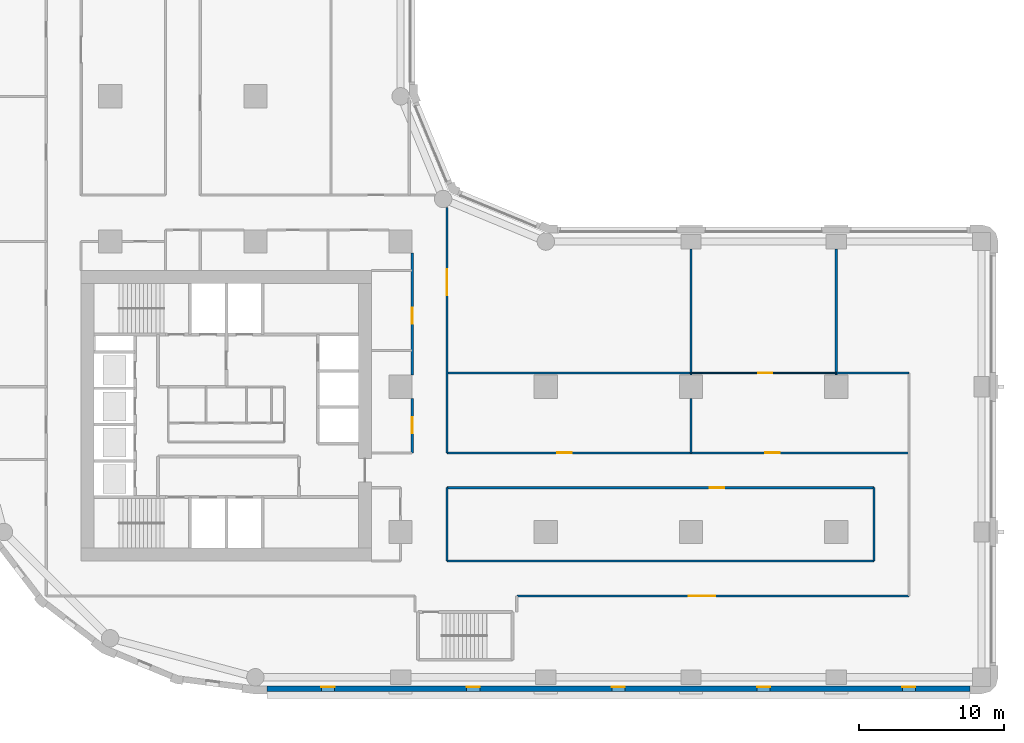
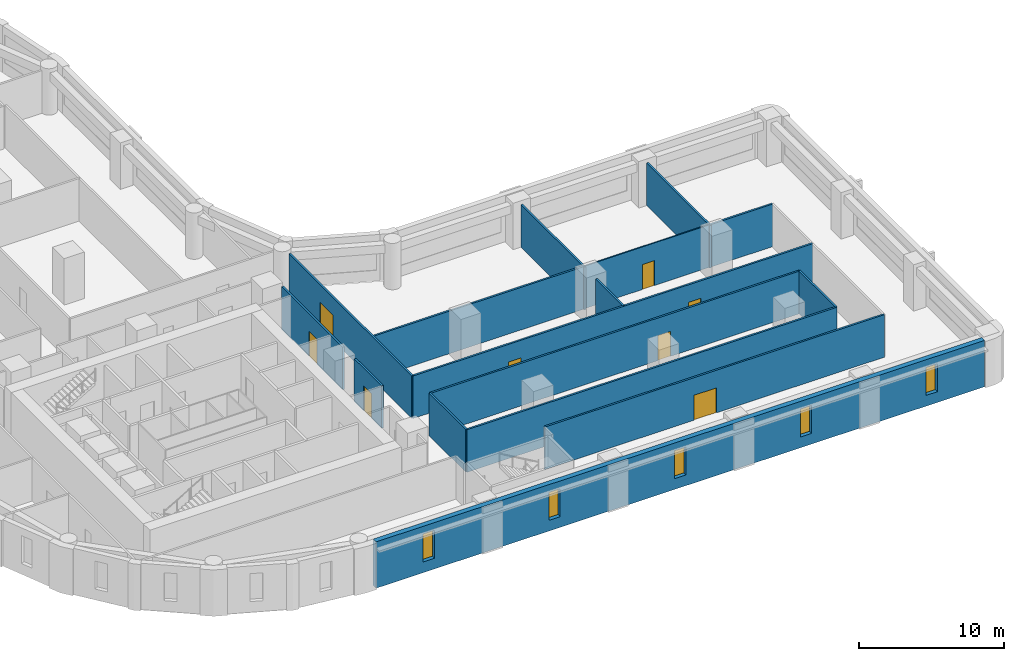
# One storey, part 4 of 10: 16 walls, 8 doors, 5 windows, 13 openings.
"""IFC4 building model written with IfcOpenShell, lengths in metres."""

from ifc_helpers import new_model, si_unit, direction, frame, frame_2d, origin, place, context, subcontext, project, spatial, rectangle, extrude, material, layer, layer_set, type_object, element, fill, save


model = new_model("IFC4")

# Units and contexts
model_context = context("Model", 3, precision=1e-05, world=origin(), true_north=direction((0.0, 1.0)))
body_context = subcontext(model_context, "Body", "Model", "MODEL_VIEW")
ifc_project = project(units=[si_unit("LENGTHUNIT", "METRE"), si_unit("AREAUNIT", "SQUARE_METRE"), si_unit("VOLUMEUNIT", "CUBIC_METRE"), si_unit("PLANEANGLEUNIT", "RADIAN"), si_unit("MASSUNIT", "GRAM", prefix="KILO")], contexts=[model_context])

# Site, building, storey
site_placement = place(None, origin())
site = spatial("IfcSite", under=ifc_project, at=site_placement, CompositionType="ELEMENT")
building_placement = place(site_placement, origin())
building = spatial("IfcBuilding", under=site, at=building_placement, Name="Qaws Garden Tower", CompositionType="ELEMENT")
storey_placement = place(building_placement, frame((0.0, 0.0, 15.89990234375)))
storey = spatial("IfcBuildingStorey", under=building, at=storey_placement, Name="L03", CompositionType="ELEMENT", Elevation=15.89990234375)

# Wall, openings, windows
ifc_material_1 = material(Name="Clay facing brick masonry", Category="masonry")
ifc_layer_1 = layer(ifc_material_1, 0.39990234375)
ifc_layer_set_1 = layer_set([ifc_layer_1], Name="Clay facing brick masonry")
wall_type_1 = type_object("IfcWallType", Name="Brick infill wall 400", PredefinedType="SOLIDWALL", material=ifc_layer_set_1)
wall_1_placement = place(storey_placement, frame((20.800048828125, -0.800048828125, 0.0), z_axis=(0.0, 0.0, 1.0), x_axis=(1.0, 0.0, 0.0)))
wall_1 = element("IfcWall", 1, at=wall_1_placement, inside=storey, type_object=wall_type_1, Name="E-L03-infill-00", PredefinedType="SOLIDWALL", context=body_context, shape_type="SweptSolid", body=[
    extrude(rectangle(XDim=48.39990234375, YDim=0.39990234375, at=frame_2d((24.199951171875, 0.0))), origin(), (0.0, 0.0, 1.0), 3.900146484375),
])
opening_1_placement = place(wall_1_placement, frame((3.75, 0.0, 0.89990234375)))
opening_1 = element("IfcOpeningElement", 2, at=opening_1_placement, cuts=wall_1, Name="Opening W09", PredefinedType="OPENING", context=body_context, shape_type="SweptSolid", body=[
    extrude(rectangle(XDim=0.89990234375, YDim=2.35009765625, at=frame_2d((0.449951171875, 1.175048828125))), frame((0.0, 0.2099609375, 0.0), z_axis=(0.0, -1.0, 0.0), x_axis=(1.0, 0.0, 0.0)), (0.0, 0.0, 1.0), 0.419921875),
])
opening_2_placement = place(wall_1_placement, frame((13.75, 0.0, 0.89990234375)))
opening_2 = element("IfcOpeningElement", 3, at=opening_2_placement, cuts=wall_1, Name="Opening W09", PredefinedType="OPENING", context=body_context, shape_type="SweptSolid", body=[
    extrude(rectangle(XDim=0.89990234375, YDim=2.35009765625, at=frame_2d((0.449951171875, 1.175048828125))), frame((0.0, 0.2099609375, 0.0), z_axis=(0.0, -1.0, 0.0), x_axis=(1.0, 0.0, 0.0)), (0.0, 0.0, 1.0), 0.419921875),
])
opening_3_placement = place(wall_1_placement, frame((23.75, 0.0, 0.89990234375)))
opening_3 = element("IfcOpeningElement", 4, at=opening_3_placement, cuts=wall_1, Name="Opening W09", PredefinedType="OPENING", context=body_context, shape_type="SweptSolid", body=[
    extrude(rectangle(XDim=0.89990234375, YDim=2.35009765625, at=frame_2d((0.449951171875, 1.175048828125))), frame((0.0, 0.2099609375, 0.0), z_axis=(0.0, -1.0, 0.0), x_axis=(1.0, 0.0, 0.0)), (0.0, 0.0, 1.0), 0.419921875),
])
opening_4_placement = place(wall_1_placement, frame((33.75, 0.0, 0.89990234375)))
opening_4 = element("IfcOpeningElement", 5, at=opening_4_placement, cuts=wall_1, Name="Opening W09", PredefinedType="OPENING", context=body_context, shape_type="SweptSolid", body=[
    extrude(rectangle(XDim=0.89990234375, YDim=2.35009765625, at=frame_2d((0.449951171875, 1.175048828125))), frame((0.0, 0.2099609375, 0.0), z_axis=(0.0, -1.0, 0.0), x_axis=(1.0, 0.0, 0.0)), (0.0, 0.0, 1.0), 0.419921875),
])
opening_5_placement = place(wall_1_placement, frame((43.75, 0.0, 0.89990234375)))
opening_5 = element("IfcOpeningElement", 6, at=opening_5_placement, cuts=wall_1, Name="Opening W09", PredefinedType="OPENING", context=body_context, shape_type="SweptSolid", body=[
    extrude(rectangle(XDim=0.89990234375, YDim=2.35009765625, at=frame_2d((0.449951171875, 1.175048828125))), frame((0.0, 0.2099609375, 0.0), z_axis=(0.0, -1.0, 0.0), x_axis=(1.0, 0.0, 0.0)), (0.0, 0.0, 1.0), 0.419921875),
])
ifc_material_2 = material(Name="Aluminium framed window, clear glazing", Category="aluminium")
window_type = type_object("IfcWindowType", Name="Slit window 900 x 2350", PartitioningType="SINGLE_PANEL", PredefinedType="WINDOW", material=ifc_material_2)
window_1_placement = place(opening_1_placement, origin())
window_1 = element("IfcWindow", 7, at=window_1_placement, inside=storey, type_object=window_type, Name="E-L03-window-00-0", OverallHeight=2.35009765625, OverallWidth=0.89990234375, PartitioningType="SINGLE_PANEL", PredefinedType="WINDOW", context=body_context, shape_type="SweptSolid", body=[
    extrude(rectangle(XDim=0.89990234375, YDim=2.35009765625, at=frame_2d((0.449951171875, 1.175048828125))), frame((0.0, 0.159912109375, 0.0), z_axis=(0.0, -1.0, 0.0), x_axis=(1.0, 0.0, 0.0)), (0.0, 0.0, 1.0), 0.06005859375),
])
fill(opening_1, window_1)
window_2_placement = place(opening_2_placement, origin())
window_2 = element("IfcWindow", 8, at=window_2_placement, inside=storey, type_object=window_type, Name="E-L03-window-01-0", OverallHeight=2.35009765625, OverallWidth=0.89990234375, PartitioningType="SINGLE_PANEL", PredefinedType="WINDOW", context=body_context, shape_type="SweptSolid", body=[
    extrude(rectangle(XDim=0.89990234375, YDim=2.35009765625, at=frame_2d((0.449951171875, 1.175048828125))), frame((0.0, 0.159912109375, 0.0), z_axis=(0.0, -1.0, 0.0), x_axis=(1.0, 0.0, 0.0)), (0.0, 0.0, 1.0), 0.06005859375),
])
fill(opening_2, window_2)
window_3_placement = place(opening_3_placement, origin())
window_3 = element("IfcWindow", 9, at=window_3_placement, inside=storey, type_object=window_type, Name="E-L03-window-02-0", OverallHeight=2.35009765625, OverallWidth=0.89990234375, PartitioningType="SINGLE_PANEL", PredefinedType="WINDOW", context=body_context, shape_type="SweptSolid", body=[
    extrude(rectangle(XDim=0.89990234375, YDim=2.35009765625, at=frame_2d((0.449951171875, 1.175048828125))), frame((0.0, 0.159912109375, 0.0), z_axis=(0.0, -1.0, 0.0), x_axis=(1.0, 0.0, 0.0)), (0.0, 0.0, 1.0), 0.06005859375),
])
fill(opening_3, window_3)
window_4_placement = place(opening_4_placement, origin())
window_4 = element("IfcWindow", 10, at=window_4_placement, inside=storey, type_object=window_type, Name="E-L03-window-03-0", OverallHeight=2.35009765625, OverallWidth=0.89990234375, PartitioningType="SINGLE_PANEL", PredefinedType="WINDOW", context=body_context, shape_type="SweptSolid", body=[
    extrude(rectangle(XDim=0.89990234375, YDim=2.35009765625, at=frame_2d((0.449951171875, 1.175048828125))), frame((0.0, 0.159912109375, 0.0), z_axis=(0.0, -1.0, 0.0), x_axis=(1.0, 0.0, 0.0)), (0.0, 0.0, 1.0), 0.06005859375),
])
fill(opening_4, window_4)
window_5_placement = place(opening_5_placement, origin())
window_5 = element("IfcWindow", 11, at=window_5_placement, inside=storey, type_object=window_type, Name="E-L03-window-04-0", OverallHeight=2.35009765625, OverallWidth=0.89990234375, PartitioningType="SINGLE_PANEL", PredefinedType="WINDOW", context=body_context, shape_type="SweptSolid", body=[
    extrude(rectangle(XDim=0.89990234375, YDim=2.35009765625, at=frame_2d((0.449951171875, 1.175048828125))), frame((0.0, 0.159912109375, 0.0), z_axis=(0.0, -1.0, 0.0), x_axis=(1.0, 0.0, 0.0)), (0.0, 0.0, 1.0), 0.06005859375),
])
fill(opening_5, window_5)

# Wall, opening, door
ifc_material_3 = material(Name="Gypsum board partition")
ifc_layer_2 = layer(ifc_material_3, 0.10009765625)
ifc_layer_set_2 = layer_set([ifc_layer_2], Name="Gypsum board partition")
wall_type_2 = type_object("IfcWallType", Name="PARTITION 100", PredefinedType="PARTITIONING", material=ifc_layer_set_2)
wall_2_placement = place(storey_placement, frame((50.0, 20.949951171875, 0.0), z_axis=(0.0, 0.0, 1.0), x_axis=(1.0, 0.0, 0.0)))
wall_2 = element("IfcWall", 12, at=wall_2_placement, inside=storey, type_object=wall_type_2, Name="O-L03-wall-001", PredefinedType="PARTITIONING", context=body_context, shape_type="SweptSolid", body=[
    extrude(rectangle(XDim=10.0, YDim=0.10009765625, at=frame_2d((5.0, 0.0))), origin(), (0.0, 0.0, 1.0), 3.580078125),
])
opening_6_placement = place(wall_2_placement, frame((4.625, 0.0, 0.0)))
opening_6 = element("IfcOpeningElement", 13, at=opening_6_placement, cuts=wall_2, Name="Opening A126", PredefinedType="OPENING", context=body_context, shape_type="SweptSolid", body=[
    extrude(rectangle(XDim=0.949951171875, YDim=2.10009765625, at=frame_2d((0.47509765625, 1.050048828125))), frame((0.0, 0.06005859375, 0.0), z_axis=(0.0, -1.0, 0.0), x_axis=(1.0, 0.0, 0.0)), (0.0, 0.0, 1.0), 0.1201171875),
])
ifc_material_4 = material(Name="Timber and glass door leaf", Category="wood")
door_type_1 = type_object("IfcDoorType", Name="GLAZED DOOR 950 X 2100", OperationType="SINGLE_SWING_LEFT", PredefinedType="DOOR", material=ifc_material_4)
door_1_placement = place(opening_6_placement, frame((0.949951171875, 0.0, 0.0), z_axis=(0.0, 0.0, 1.0), x_axis=(-1.0, 0.0, 0.0)))
door_1 = element("IfcDoor", 14, at=door_1_placement, inside=storey, type_object=door_type_1, Name="O-L03-door-026", OperationType="SINGLE_SWING_RIGHT", OverallHeight=2.10009765625, OverallWidth=0.949951171875, PredefinedType="DOOR", context=body_context, shape_type="SweptSolid", body=[
    extrude(rectangle(XDim=0.949951171875, YDim=2.10009765625, at=frame_2d((0.47509765625, 1.050048828125))), frame((0.0, 0.02490234375, 0.0), z_axis=(0.0, -1.0, 0.0), x_axis=(1.0, 0.0, 0.0)), (0.0, 0.0, 1.0), 0.050048828125),
])
fill(opening_6, door_1)

ifc_material_5 = material(Name="Gypsum board partition")
ifc_layer_3 = layer(ifc_material_5, 0.14990234375)
ifc_layer_set_3 = layer_set([ifc_layer_3], Name="Gypsum board partition")
wall_type_3 = type_object("IfcWallType", Name="PARTITION 150 EI 60", PredefinedType="PARTITIONING", material=ifc_layer_set_3)
wall_3_placement = place(storey_placement, frame((30.800048828125, 15.449951171875, 0.0), z_axis=(0.0, 0.0, 1.0), x_axis=(0.0, 1.0, 0.0)))
wall_3 = element("IfcWall", 15, at=wall_3_placement, inside=storey, type_object=wall_type_3, Name="O-L03-wall-017", PredefinedType="PARTITIONING", context=body_context, shape_type="SweptSolid", body=[
    extrude(rectangle(XDim=3.75, YDim=0.14990234375, at=frame_2d((1.875, 0.0))), origin(), (0.0, 0.0, 1.0), 3.580078125),
])
opening_7_placement = place(wall_3_placement, frame((1.35009765625, 0.0, 0.0)))
opening_7 = element("IfcOpeningElement", 16, at=opening_7_placement, cuts=wall_3, Name="Opening A105", PredefinedType="OPENING", context=body_context, shape_type="SweptSolid", body=[
    extrude(rectangle(XDim=1.10009765625, YDim=2.10009765625, at=frame_2d((0.550048828125, 1.050048828125))), frame((0.0, 0.0849609375, 0.0), z_axis=(0.0, -1.0, 0.0), x_axis=(1.0, 0.0, 0.0)), (0.0, 0.0, 1.0), 0.169921875),
])
ifc_material_6 = material(Name="Timber door leaf", Category="wood")
door_type_2 = type_object("IfcDoorType", Name="SERVICE ROOM DOOR 1100 X 2100", OperationType="SINGLE_SWING_LEFT", PredefinedType="DOOR", material=ifc_material_6)
door_2_placement = place(opening_7_placement, origin())
door_2 = element("IfcDoor", 17, at=door_2_placement, inside=storey, type_object=door_type_2, Name="O-L03-door-005", OperationType="SINGLE_SWING_RIGHT", OverallHeight=2.10009765625, OverallWidth=1.10009765625, PredefinedType="DOOR", context=body_context, shape_type="SweptSolid", body=[
    extrude(rectangle(XDim=1.10009765625, YDim=2.10009765625, at=frame_2d((0.550048828125, 1.050048828125))), frame((0.0, 0.02490234375, 0.0), z_axis=(0.0, -1.0, 0.0), x_axis=(1.0, 0.0, 0.0)), (0.0, 0.0, 1.0), 0.050048828125),
])
fill(opening_7, door_2)

wall_4_placement = place(storey_placement, frame((30.800048828125, 20.800048828125, 0.0), z_axis=(0.0, 0.0, 1.0), x_axis=(0.0, 1.0, 0.0)))
wall_4 = element("IfcWall", 18, at=wall_4_placement, inside=storey, type_object=wall_type_3, Name="O-L03-wall-018", PredefinedType="PARTITIONING", context=body_context, shape_type="SweptSolid", body=[
    extrude(rectangle(XDim=8.39990234375, YDim=0.14990234375, at=frame_2d((4.199951171875, 0.0))), origin(), (0.0, 0.0, 1.0), 3.580078125),
])
opening_8_placement = place(wall_4_placement, frame((3.550048828125, 0.0, 0.0)))
opening_8 = element("IfcOpeningElement", 19, at=opening_8_placement, cuts=wall_4, Name="Opening A106", PredefinedType="OPENING", context=body_context, shape_type="SweptSolid", body=[
    extrude(rectangle(XDim=1.10009765625, YDim=2.10009765625, at=frame_2d((0.550048828125, 1.050048828125))), frame((0.0, 0.0849609375, 0.0), z_axis=(0.0, -1.0, 0.0), x_axis=(1.0, 0.0, 0.0)), (0.0, 0.0, 1.0), 0.169921875),
])
door_3_placement = place(opening_8_placement, origin())
door_3 = element("IfcDoor", 20, at=door_3_placement, inside=storey, type_object=door_type_2, Name="O-L03-door-006", OperationType="SINGLE_SWING_RIGHT", OverallHeight=2.10009765625, OverallWidth=1.10009765625, PredefinedType="DOOR", context=body_context, shape_type="SweptSolid", body=[
    extrude(rectangle(XDim=1.10009765625, YDim=2.10009765625, at=frame_2d((0.550048828125, 1.050048828125))), frame((0.0, 0.02490234375, 0.0), z_axis=(0.0, -1.0, 0.0), x_axis=(1.0, 0.0, 0.0)), (0.0, 0.0, 1.0), 0.050048828125),
])
fill(opening_8, door_3)

# Wall
wall_5_placement = place(storey_placement, frame((33.199951171875, 8.0, 0.0), z_axis=(0.0, 0.0, 1.0), x_axis=(0.0, 1.0, 0.0)))
element("IfcWall", 21, at=wall_5_placement, inside=storey, type_object=wall_type_3, Name="O-L03-wall-020", PredefinedType="PARTITIONING", context=body_context, shape_type="SweptSolid", body=[
    extrude(rectangle(XDim=5.050048828125, YDim=0.14990234375, at=frame_2d((2.52490234375, 0.0))), origin(), (0.0, 0.0, 1.0), 3.580078125),
])

# Wall, opening, door
wall_6_placement = place(storey_placement, frame((33.199951171875, 15.449951171875, 0.0), z_axis=(0.0, 0.0, 1.0), x_axis=(0.0, 1.0, 0.0)))
wall_6 = element("IfcWall", 22, at=wall_6_placement, inside=storey, type_object=wall_type_3, Name="O-L03-wall-021", PredefinedType="PARTITIONING", context=body_context, shape_type="SweptSolid", body=[
    extrude(rectangle(XDim=16.912109375, YDim=0.14990234375, at=frame_2d((8.4560546875, 0.0))), origin(), (0.0, 0.0, 1.0), 3.580078125),
])
opening_9_placement = place(wall_6_placement, frame((10.85009765625, 0.0, 0.0)))
opening_9 = element("IfcOpeningElement", 23, at=opening_9_placement, cuts=wall_6, Name="Opening A103", PredefinedType="OPENING", context=body_context, shape_type="SweptSolid", body=[
    extrude(rectangle(XDim=1.800048828125, YDim=2.10009765625, at=frame_2d((0.89990234375, 1.050048828125))), frame((0.0, 0.0849609375, 0.0), z_axis=(0.0, -1.0, 0.0), x_axis=(1.0, 0.0, 0.0)), (0.0, 0.0, 1.0), 0.169921875),
])
ifc_material_7 = material(Name="Timber door leaf", Category="wood")
door_type_3 = type_object("IfcDoorType", Name="DOUBLE DOOR 1800 X 2100", OperationType="DOUBLE_DOOR_SINGLE_SWING", PredefinedType="DOOR", material=ifc_material_7)
door_4_placement = place(opening_9_placement, frame((1.800048828125, 0.0, 0.0), z_axis=(0.0, 0.0, 1.0), x_axis=(-1.0, 0.0, 0.0)))
door_4 = element("IfcDoor", 24, at=door_4_placement, inside=storey, type_object=door_type_3, Name="O-L03-door-003", OperationType="DOUBLE_DOOR_SINGLE_SWING", OverallHeight=2.10009765625, OverallWidth=1.800048828125, PredefinedType="DOOR", context=body_context, shape_type="SweptSolid", body=[
    extrude(rectangle(XDim=1.800048828125, YDim=2.10009765625, at=frame_2d((0.89990234375, 1.050048828125))), frame((0.0, 0.02490234375, 0.0), z_axis=(0.0, -1.0, 0.0), x_axis=(1.0, 0.0, 0.0)), (0.0, 0.0, 1.0), 0.050048828125),
])
fill(opening_9, door_4)

# Walls
wall_7_placement = place(storey_placement, frame((50.0, 15.449951171875, 0.0), z_axis=(0.0, 0.0, 1.0), x_axis=(0.0, 1.0, 0.0)))
element("IfcWall", 25, at=wall_7_placement, inside=storey, type_object=wall_type_3, Name="O-L03-wall-023", PredefinedType="PARTITIONING", context=body_context, shape_type="SweptSolid", body=[
    extrude(rectangle(XDim=3.75, YDim=0.14990234375, at=frame_2d((1.875, 0.0))), origin(), (0.0, 0.0, 1.0), 3.580078125),
])
for number, where, z_axis, x_axis, name in (
    (26, (50.0, 20.800048828125, 0.0), (0.0, 0.0, 1.0), (0.0, 1.0, 0.0), "O-L03-wall-024"),
    (27, (60.0, 20.800048828125, 0.0), (0.0, 0.0, 1.0), (0.0, 1.0, 0.0), "O-L03-wall-025"),
):
    element("IfcWall", number, at=place(storey_placement, frame(where, z_axis=z_axis, x_axis=x_axis)), inside=storey, type_object=wall_type_3, Name=name, PredefinedType="PARTITIONING", context=body_context, shape_type="SweptSolid", body=[
        extrude(rectangle(XDim=8.699951171875, YDim=0.14990234375, at=frame_2d((4.35009765625, 0.0))), origin(), (0.0, 0.0, 1.0), 3.580078125),
    ])
wall_8_placement = place(storey_placement, frame((62.60009765625, 8.0, 0.0), z_axis=(0.0, 0.0, 1.0), x_axis=(0.0, 1.0, 0.0)))
element("IfcWall", 28, at=wall_8_placement, inside=storey, type_object=wall_type_3, Name="O-L03-wall-026", PredefinedType="PARTITIONING", context=body_context, shape_type="SweptSolid", body=[
    extrude(rectangle(XDim=5.050048828125, YDim=0.14990234375, at=frame_2d((2.52490234375, 0.0))), origin(), (0.0, 0.0, 1.0), 3.580078125),
])

# Wall, opening, door
wall_9_placement = place(storey_placement, frame((38.0, 5.60009765625, 0.0), z_axis=(0.0, 0.0, 1.0), x_axis=(1.0, 0.0, 0.0)))
wall_9 = element("IfcWall", 29, at=wall_9_placement, inside=storey, type_object=wall_type_3, Name="O-L03-wall-029", PredefinedType="PARTITIONING", context=body_context, shape_type="SweptSolid", body=[
    extrude(rectangle(XDim=27.0, YDim=0.14990234375, at=frame_2d((13.5, 0.0))), origin(), (0.0, 0.0, 1.0), 3.580078125),
])
opening_10_placement = place(wall_9_placement, frame((11.85009765625, 0.0, 0.0)))
opening_10 = element("IfcOpeningElement", 30, at=opening_10_placement, cuts=wall_9, Name="Opening A122", PredefinedType="OPENING", context=body_context, shape_type="SweptSolid", body=[
    extrude(rectangle(XDim=1.800048828125, YDim=2.10009765625, at=frame_2d((0.89990234375, 1.050048828125))), frame((0.0, 0.0849609375, 0.0), z_axis=(0.0, -1.0, 0.0), x_axis=(1.0, 0.0, 0.0)), (0.0, 0.0, 1.0), 0.169921875),
])
door_5_placement = place(opening_10_placement, frame((1.800048828125, 0.0, 0.0), z_axis=(0.0, 0.0, 1.0), x_axis=(-1.0, 0.0, 0.0)))
door_5 = element("IfcDoor", 31, at=door_5_placement, inside=storey, type_object=door_type_3, Name="O-L03-door-022", OperationType="DOUBLE_DOOR_SINGLE_SWING", OverallHeight=2.10009765625, OverallWidth=1.800048828125, PredefinedType="DOOR", context=body_context, shape_type="SweptSolid", body=[
    extrude(rectangle(XDim=1.800048828125, YDim=2.10009765625, at=frame_2d((0.89990234375, 1.050048828125))), frame((0.0, 0.02490234375, 0.0), z_axis=(0.0, -1.0, 0.0), x_axis=(1.0, 0.0, 0.0)), (0.0, 0.0, 1.0), 0.050048828125),
])
fill(opening_10, door_5)

# Wall
wall_10_placement = place(storey_placement, frame((33.199951171875, 8.0, 0.0), z_axis=(0.0, 0.0, 1.0), x_axis=(1.0, 0.0, 0.0)))
element("IfcWall", 32, at=wall_10_placement, inside=storey, type_object=wall_type_3, Name="O-L03-wall-031", PredefinedType="PARTITIONING", context=body_context, shape_type="SweptSolid", body=[
    extrude(rectangle(XDim=29.400146484375, YDim=0.14990234375, at=frame_2d((14.7001953125, 0.0))), origin(), (0.0, 0.0, 1.0), 3.580078125),
])

# Wall, opening, door
wall_11_placement = place(storey_placement, frame((33.199951171875, 13.050048828125, 0.0), z_axis=(0.0, 0.0, 1.0), x_axis=(1.0, 0.0, 0.0)))
wall_11 = element("IfcWall", 33, at=wall_11_placement, inside=storey, type_object=wall_type_3, Name="O-L03-wall-033", PredefinedType="PARTITIONING", context=body_context, shape_type="SweptSolid", body=[
    extrude(rectangle(XDim=29.400146484375, YDim=0.14990234375, at=frame_2d((14.7001953125, 0.0))), origin(), (0.0, 0.0, 1.0), 3.580078125),
])
opening_11_placement = place(wall_11_placement, frame((18.10009765625, 0.0, 0.0)))
opening_11 = element("IfcOpeningElement", 34, at=opening_11_placement, cuts=wall_11, Name="Opening A123", PredefinedType="OPENING", context=body_context, shape_type="SweptSolid", body=[
    extrude(rectangle(XDim=1.0, YDim=2.10009765625, at=frame_2d((0.5, 1.050048828125))), frame((0.0, 0.0849609375, 0.0), z_axis=(0.0, -1.0, 0.0), x_axis=(1.0, 0.0, 0.0)), (0.0, 0.0, 1.0), 0.169921875),
])
ifc_material_8 = material(Name="Timber door leaf", Category="wood")
door_type_4 = type_object("IfcDoorType", Name="TENANCY ENTRANCE DOOR 1000 X 2100", OperationType="SINGLE_SWING_LEFT", PredefinedType="DOOR", material=ifc_material_8)
door_6_placement = place(opening_11_placement, frame((1.0, 0.0, 0.0), z_axis=(0.0, 0.0, 1.0), x_axis=(-1.0, 0.0, 0.0)))
door_6 = element("IfcDoor", 35, at=door_6_placement, inside=storey, type_object=door_type_4, Name="O-L03-door-023", OperationType="SINGLE_SWING_RIGHT", OverallHeight=2.10009765625, OverallWidth=1.0, PredefinedType="DOOR", context=body_context, shape_type="SweptSolid", body=[
    extrude(rectangle(XDim=1.0, YDim=2.10009765625, at=frame_2d((0.5, 1.050048828125))), frame((0.0, 0.02490234375, 0.0), z_axis=(0.0, -1.0, 0.0), x_axis=(1.0, 0.0, 0.0)), (0.0, 0.0, 1.0), 0.050048828125),
])
fill(opening_11, door_6)

# Wall, openings, doors
wall_12_placement = place(storey_placement, frame((33.199951171875, 15.449951171875, 0.0), z_axis=(0.0, 0.0, 1.0), x_axis=(1.0, 0.0, 0.0)))
wall_12 = element("IfcWall", 36, at=wall_12_placement, inside=storey, type_object=wall_type_3, Name="O-L03-wall-036", PredefinedType="PARTITIONING", context=body_context, shape_type="SweptSolid", body=[
    extrude(rectangle(XDim=31.800048828125, YDim=0.14990234375, at=frame_2d((15.89990234375, 0.0))), origin(), (0.0, 0.0, 1.0), 3.580078125),
])
opening_12_placement = place(wall_12_placement, frame((7.60009765625, 0.0, 0.0)))
opening_12 = element("IfcOpeningElement", 37, at=opening_12_placement, cuts=wall_12, Name="Opening A124", PredefinedType="OPENING", context=body_context, shape_type="SweptSolid", body=[
    extrude(rectangle(XDim=1.0, YDim=2.10009765625, at=frame_2d((0.5, 1.050048828125))), frame((0.0, 0.0849609375, 0.0), z_axis=(0.0, -1.0, 0.0), x_axis=(1.0, 0.0, 0.0)), (0.0, 0.0, 1.0), 0.169921875),
])
opening_13_placement = place(wall_12_placement, frame((21.89990234375, 0.0, 0.0)))
opening_13 = element("IfcOpeningElement", 38, at=opening_13_placement, cuts=wall_12, Name="Opening A125", PredefinedType="OPENING", context=body_context, shape_type="SweptSolid", body=[
    extrude(rectangle(XDim=1.0, YDim=2.10009765625, at=frame_2d((0.5, 1.050048828125))), frame((0.0, 0.0849609375, 0.0), z_axis=(0.0, -1.0, 0.0), x_axis=(1.0, 0.0, 0.0)), (0.0, 0.0, 1.0), 0.169921875),
])
door_7_placement = place(opening_12_placement, origin())
door_7 = element("IfcDoor", 39, at=door_7_placement, inside=storey, type_object=door_type_4, Name="O-L03-door-024", OperationType="SINGLE_SWING_LEFT", OverallHeight=2.10009765625, OverallWidth=1.0, PredefinedType="DOOR", context=body_context, shape_type="SweptSolid", body=[
    extrude(rectangle(XDim=1.0, YDim=2.10009765625, at=frame_2d((0.5, 1.050048828125))), frame((0.0, 0.02490234375, 0.0), z_axis=(0.0, -1.0, 0.0), x_axis=(1.0, 0.0, 0.0)), (0.0, 0.0, 1.0), 0.050048828125),
])
fill(opening_12, door_7)
door_8_placement = place(opening_13_placement, origin())
door_8 = element("IfcDoor", 40, at=door_8_placement, inside=storey, type_object=door_type_4, Name="O-L03-door-025", OperationType="SINGLE_SWING_LEFT", OverallHeight=2.10009765625, OverallWidth=1.0, PredefinedType="DOOR", context=body_context, shape_type="SweptSolid", body=[
    extrude(rectangle(XDim=1.0, YDim=2.10009765625, at=frame_2d((0.5, 1.050048828125))), frame((0.0, 0.02490234375, 0.0), z_axis=(0.0, -1.0, 0.0), x_axis=(1.0, 0.0, 0.0)), (0.0, 0.0, 1.0), 0.050048828125),
])
fill(opening_13, door_8)

# Walls
wall_13_placement = place(storey_placement, frame((33.199951171875, 20.949951171875, 0.0), z_axis=(0.0, 0.0, 1.0), x_axis=(1.0, 0.0, 0.0)))
element("IfcWall", 41, at=wall_13_placement, inside=storey, type_object=wall_type_3, Name="O-L03-wall-038", PredefinedType="PARTITIONING", context=body_context, shape_type="SweptSolid", body=[
    extrude(rectangle(XDim=16.800048828125, YDim=0.14990234375, at=frame_2d((8.39990234375, 0.0))), origin(), (0.0, 0.0, 1.0), 3.580078125),
])
wall_14_placement = place(storey_placement, frame((60.0, 20.949951171875, 0.0), z_axis=(0.0, 0.0, 1.0), x_axis=(1.0, 0.0, 0.0)))
element("IfcWall", 42, at=wall_14_placement, inside=storey, type_object=wall_type_3, Name="O-L03-wall-039", PredefinedType="PARTITIONING", context=body_context, shape_type="SweptSolid", body=[
    extrude(rectangle(XDim=5.0, YDim=0.14990234375, at=frame_2d((2.5, 0.0))), origin(), (0.0, 0.0, 1.0), 3.580078125),
])

save(model, "model.ifc")
